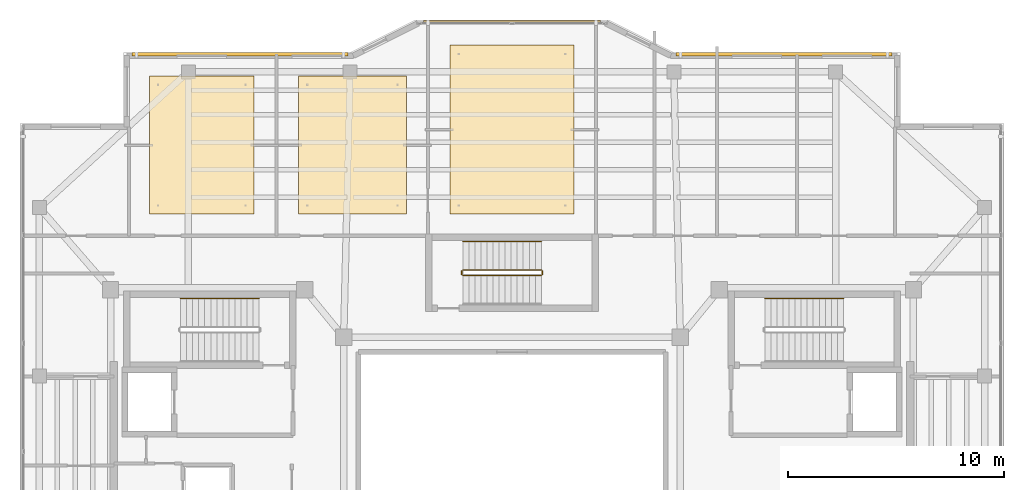
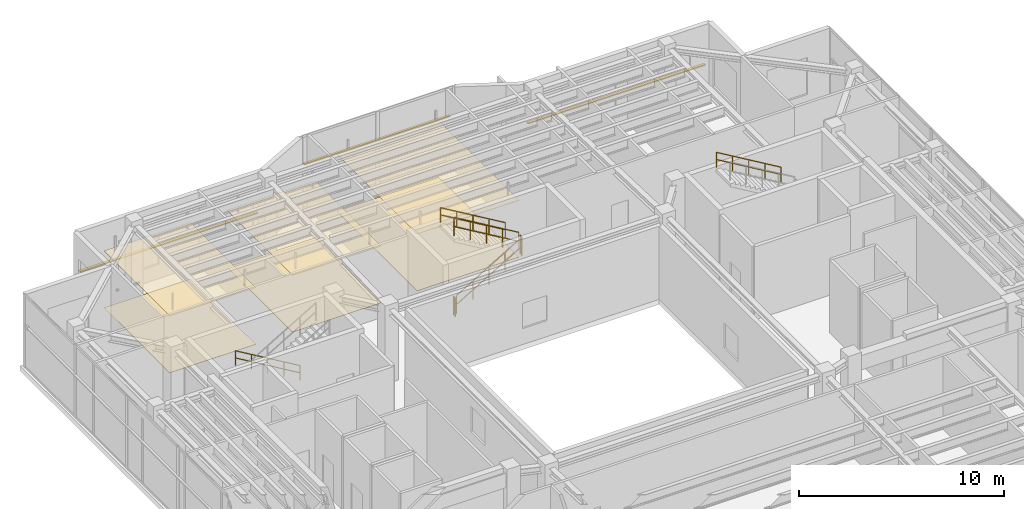
# One storey, part 25 of 25: 7 railings, 6 coverings, 3 shading devices.
"""IFC4 building model written with IfcOpenShell, lengths in metres."""

from ifc_helpers import new_model, si_unit, direction, frame, origin, origin_2d, place, context, subcontext, project, spatial, polyline, rectangle, circle, outline, extrude, material, layer, layer_set, material_profile, profile_set, type_object, element, save


model = new_model("IFC4")

# Units and contexts
model_context = context("Model", 3, precision=1e-05, world=origin(), true_north=direction((0.0, 1.0)))
body_context = subcontext(model_context, "Body", "Model", "MODEL_VIEW")
ifc_project = project(units=[si_unit("LENGTHUNIT", "METRE"), si_unit("AREAUNIT", "SQUARE_METRE"), si_unit("VOLUMEUNIT", "CUBIC_METRE"), si_unit("PLANEANGLEUNIT", "RADIAN"), si_unit("MASSUNIT", "GRAM", prefix="KILO")], contexts=[model_context])

# Site, building, storey
site_placement = place(None, origin())
site = spatial("IfcSite", under=ifc_project, at=site_placement, CompositionType="ELEMENT")
building_placement = place(site_placement, origin())
building = spatial("IfcBuilding", under=site, at=building_placement, Name="Tarnavaz Court Tower", CompositionType="ELEMENT")
storey_placement = place(building_placement, frame((0.0, 0.0, 271.64990234375)))
storey = spatial("IfcBuildingStorey", under=building, at=storey_placement, Name="L74", CompositionType="ELEMENT", Elevation=271.64990234375)

# Coverings
ifc_material_1 = material(Name="Perforated Gypsum Acoustic Ceiling Tile", Category="masonry")
ifc_layer_1 = layer(ifc_material_1, 0.02490234375)
ifc_layer_set_1 = layer_set([ifc_layer_1], Name="Perforated Gypsum Acoustic Ceiling Tile")
covering_type_1 = type_object("IfcCoveringType", Name="CV-CEIL-AC", PredefinedType="CEILING", material=ifc_layer_set_1)
covering_1_placement = place(storey_placement, frame((0.0, 0.0, 3.380126953125)))
element("IfcCovering", 1, at=covering_1_placement, inside=storey, type_object=covering_type_1, Name="L74 Public Observation Viewing Deck Suspended Acoustic Ceiling", PredefinedType="CEILING", context=body_context, shape_type="SweptSolid", body=[
    extrude(outline(polyline([(-16.800048828125, 13.5), (-11.948974609375, 13.5), (-11.948974609375, 19.89990234375), (-16.800048828125, 19.89990234375), (-16.800048828125, 13.5)])), origin(), (0.0, 0.0, 1.0), 0.02490234375),
])
covering_2_placement = place(storey_placement, frame((0.0, 0.0, 3.380126953125)))
element("IfcCovering", 2, at=covering_2_placement, inside=storey, type_object=covering_type_1, Name="L74 Skyline Heritage Art Gallery Suspended Acoustic Ceiling", PredefinedType="CEILING", context=body_context, shape_type="SweptSolid", body=[
    extrude(outline(polyline([(-9.888916015625, 13.5), (-4.89990234375, 13.5), (-4.89990234375, 19.89990234375), (-9.888916015625, 19.89990234375), (-9.888916015625, 13.5)])), origin(), (0.0, 0.0, 1.0), 0.02490234375),
])
covering_3_placement = place(storey_placement, frame((0.0, 0.0, 3.380126953125)))
element("IfcCovering", 3, at=covering_3_placement, inside=storey, type_object=covering_type_1, Name="L74 L74 North Iwan Sky Lookout Salon Suspended Acoustic Ceiling", PredefinedType="CEILING", context=body_context, shape_type="SweptSolid", body=[
    extrude(outline(polyline([(-2.8701171875, 13.5), (2.8701171875, 13.5), (2.8701171875, 21.330078125), (-2.8701171875, 21.330078125), (-2.8701171875, 13.5)])), origin(), (0.0, 0.0, 1.0), 0.02490234375),
])
ifc_material_2 = material(Name="Glazed Khorasan Porcelain Floor Tile", Category="masonry")
ifc_layer_2 = layer(ifc_material_2, 0.02001953125)
ifc_layer_set_2 = layer_set([ifc_layer_2], Name="Glazed Khorasan Porcelain Floor Tile")
covering_type_2 = type_object("IfcCoveringType", Name="CV-FLR-PORC", PredefinedType="FLOORING", material=ifc_layer_set_2)
covering_4_placement = place(storey_placement, origin())
element("IfcCovering", 4, at=covering_4_placement, inside=storey, type_object=covering_type_2, Name="L74 Public Observation Viewing Deck Porcelain Floor Finish", PredefinedType="FLOORING", context=body_context, shape_type="SweptSolid", body=[
    extrude(outline(polyline([(-16.800048828125, 13.5), (-11.948974609375, 13.5), (-11.948974609375, 19.89990234375), (-16.800048828125, 19.89990234375), (-16.800048828125, 13.5)])), origin(), (0.0, 0.0, 1.0), 0.02001953125),
])
covering_5_placement = place(storey_placement, origin())
element("IfcCovering", 5, at=covering_5_placement, inside=storey, type_object=covering_type_2, Name="L74 Skyline Heritage Art Gallery Porcelain Floor Finish", PredefinedType="FLOORING", context=body_context, shape_type="SweptSolid", body=[
    extrude(outline(polyline([(-9.888916015625, 13.5), (-4.89990234375, 13.5), (-4.89990234375, 19.89990234375), (-9.888916015625, 19.89990234375), (-9.888916015625, 13.5)])), origin(), (0.0, 0.0, 1.0), 0.02001953125),
])
covering_6_placement = place(storey_placement, origin())
element("IfcCovering", 6, at=covering_6_placement, inside=storey, type_object=covering_type_2, Name="L74 L74 North Iwan Sky Lookout Salon Porcelain Floor Finish", PredefinedType="FLOORING", context=body_context, shape_type="SweptSolid", body=[
    extrude(outline(polyline([(-2.8701171875, 13.5), (2.8701171875, 13.5), (2.8701171875, 21.330078125), (-2.8701171875, 21.330078125), (-2.8701171875, 13.5)])), origin(), (0.0, 0.0, 1.0), 0.02001953125),
])

# Railings
ifc_material_3 = material(Name="Brushed Stainless Steel", Category="steel")
railing_type_1 = type_object("IfcRailingType", Name="RL-HANDRAIL-900", PredefinedType="HANDRAIL", material=ifc_material_3)
for number, where, name in (
    (7, (-11.719970703125, 9.590087890625, 0.166259765625), "L74 ST-W1 stair handrail 1"),
    (8, (15.360107421875, 9.590087890625, 2.4912109375), "L74 ST-E1 stair handrail 2"),
    (9, (1.360107421875, 12.239990234375, 2.4912109375), "L74 ST-N1 stair handrail 2"),
):
    element("IfcRailing", number, at=place(storey_placement, frame(where)), inside=storey, type_object=railing_type_1, Name=name, PredefinedType="HANDRAIL", context=body_context, shape_type="SweptSolid", body=[
        extrude(circle(Radius=0.02392578125, at=origin_2d()), frame((0.0, 0.0, 0.8759765625), z_axis=(-0.860103130531, 0.0, 0.510120186672), x_axis=(0.0, -1.0, 0.0)), (0.0, 0.0, 1.0), 4.232177734375),
        extrude(circle(Radius=0.02392578125, at=origin_2d()), frame((0.0, 0.0, 0.449951171875), z_axis=(-0.860103130531, 0.0, 0.510120186672), x_axis=(0.0, -1.0, 0.0)), (0.0, 0.0, 1.0), 4.232177734375),
        extrude(circle(Radius=0.02099609375, at=origin_2d()), origin(), (0.0, 0.0, 1.0), 0.851806640625),
        extrude(circle(Radius=0.02099609375, at=origin_2d()), frame((-0.91015625, 0.0, 0.539794921875)), (0.0, 0.0, 1.0), 0.851806640625),
        extrude(circle(Radius=0.02099609375, at=origin_2d()), frame((-1.820068359375, 0.0, 1.07958984375)), (0.0, 0.0, 1.0), 0.851806640625),
        extrude(circle(Radius=0.02099609375, at=origin_2d()), frame((-2.72998046875, 0.0, 1.619140625)), (0.0, 0.0, 1.0), 0.851806640625),
        extrude(circle(Radius=0.02099609375, at=origin_2d()), frame((-3.64013671875, 0.0, 2.158935546875)), (0.0, 0.0, 1.0), 0.851806640625),
    ])
ifc_material_4 = material(Name="Galvanized Painted Tubular Steel", Category="steel")
railing_type_2 = type_object("IfcRailingType", Name="RL-STGUARD-1120", PredefinedType="GUARDRAIL", material=ifc_material_4)
railing_1_placement = place(storey_placement, frame((-2.280029296875, 10.669921875, 0.166259765625)))
element("IfcRailing", 10, at=railing_1_placement, inside=storey, type_object=railing_type_2, Name="L74 ST-N1 stair guard 1", PredefinedType="GUARDRAIL", context=body_context, shape_type="SweptSolid", body=[
    extrude(circle(Radius=0.02392578125, at=origin_2d()), frame((0.0, 0.0, 1.09619140625), z_axis=(0.860103130531, 0.0, 0.510120186672), x_axis=(0.0, 1.0, 0.0)), (0.0, 0.0, 1.0), 4.232177734375),
    extrude(circle(Radius=0.02392578125, at=origin_2d()), frame((0.0, 0.0, 0.56005859375), z_axis=(0.860103130531, 0.0, 0.510120186672), x_axis=(0.0, 1.0, 0.0)), (0.0, 0.0, 1.0), 4.232177734375),
    extrude(circle(Radius=0.02099609375, at=origin_2d()), origin(), (0.0, 0.0, 1.0), 1.072021484375),
    extrude(circle(Radius=0.02099609375, at=origin_2d()), frame((0.91015625, 0.0, 0.539794921875)), (0.0, 0.0, 1.0), 1.072021484375),
    extrude(circle(Radius=0.02099609375, at=origin_2d()), frame((1.820068359375, 0.0, 1.07958984375)), (0.0, 0.0, 1.0), 1.072021484375),
    extrude(circle(Radius=0.02099609375, at=origin_2d()), frame((2.72998046875, 0.0, 1.619140625)), (0.0, 0.0, 1.0), 1.072021484375),
    extrude(circle(Radius=0.02099609375, at=origin_2d()), frame((3.64013671875, 0.0, 2.158935546875)), (0.0, 0.0, 1.0), 1.072021484375),
])
railing_2_placement = place(storey_placement, frame((1.409912109375, 10.719970703125, 2.3251953125)))
element("IfcRailing", 11, at=railing_2_placement, inside=storey, type_object=railing_type_2, Name="L74 ST-N1 stair guard 2", PredefinedType="GUARDRAIL", context=body_context, shape_type="SweptSolid", body=[
    extrude(circle(Radius=0.02392578125, at=origin_2d()), frame((0.0, 0.0, 1.09619140625), z_axis=(0.0, 1.0, 0.0), x_axis=(-1.0, 0.0, 0.0)), (0.0, 0.0, 1.0), 0.150146484375),
    extrude(circle(Radius=0.02392578125, at=origin_2d()), frame((0.0, 0.0, 0.56005859375), z_axis=(0.0, 1.0, 0.0), x_axis=(-1.0, 0.0, 0.0)), (0.0, 0.0, 1.0), 0.150146484375),
    extrude(circle(Radius=0.02099609375, at=origin_2d()), origin(), (0.0, 0.0, 1.0), 1.072021484375),
    extrude(circle(Radius=0.02099609375, at=origin_2d()), frame((0.0, 0.150146484375, 0.0)), (0.0, 0.0, 1.0), 1.072021484375),
])
railing_3_placement = place(storey_placement, frame((1.360107421875, 10.919921875, 2.4912109375)))
element("IfcRailing", 12, at=railing_3_placement, inside=storey, type_object=railing_type_2, Name="L74 ST-N1 stair guard 3", PredefinedType="GUARDRAIL", context=body_context, shape_type="SweptSolid", body=[
    extrude(circle(Radius=0.02392578125, at=origin_2d()), frame((0.0, 0.0, 1.09619140625), z_axis=(-0.860103130531, 0.0, 0.510120186672), x_axis=(0.0, -1.0, 0.0)), (0.0, 0.0, 1.0), 4.232177734375),
    extrude(circle(Radius=0.02392578125, at=origin_2d()), frame((0.0, 0.0, 0.56005859375), z_axis=(-0.860103130531, 0.0, 0.510120186672), x_axis=(0.0, -1.0, 0.0)), (0.0, 0.0, 1.0), 4.232177734375),
    extrude(circle(Radius=0.02099609375, at=origin_2d()), origin(), (0.0, 0.0, 1.0), 1.072021484375),
    extrude(circle(Radius=0.02099609375, at=origin_2d()), frame((-0.91015625, 0.0, 0.539794921875)), (0.0, 0.0, 1.0), 1.072021484375),
    extrude(circle(Radius=0.02099609375, at=origin_2d()), frame((-1.820068359375, 0.0, 1.07958984375)), (0.0, 0.0, 1.0), 1.072021484375),
    extrude(circle(Radius=0.02099609375, at=origin_2d()), frame((-2.72998046875, 0.0, 1.619140625)), (0.0, 0.0, 1.0), 1.072021484375),
    extrude(circle(Radius=0.02099609375, at=origin_2d()), frame((-3.64013671875, 0.0, 2.158935546875)), (0.0, 0.0, 1.0), 1.072021484375),
])
railing_4_placement = place(storey_placement, frame((-2.330078125, 10.719970703125, 0.0)))
element("IfcRailing", 13, at=railing_4_placement, inside=storey, type_object=railing_type_2, Name="L74 ST-N1 stair guard 4", PredefinedType="GUARDRAIL", context=body_context, shape_type="SweptSolid", body=[
    extrude(circle(Radius=0.02392578125, at=origin_2d()), frame((0.0, 0.0, 1.09619140625), z_axis=(0.0, 1.0, 0.0), x_axis=(-1.0, 0.0, 0.0)), (0.0, 0.0, 1.0), 0.150146484375),
    extrude(circle(Radius=0.02392578125, at=origin_2d()), frame((0.0, 0.0, 0.56005859375), z_axis=(0.0, 1.0, 0.0), x_axis=(-1.0, 0.0, 0.0)), (0.0, 0.0, 1.0), 0.150146484375),
    extrude(circle(Radius=0.02099609375, at=origin_2d()), origin(), (0.0, 0.0, 1.0), 1.072021484375),
    extrude(circle(Radius=0.02099609375, at=origin_2d()), frame((0.0, 0.150146484375, 0.0)), (0.0, 0.0, 1.0), 1.072021484375),
])

# Shading devices
ifc_material_5 = material(Name="Kiln-Fired Khorasan Terracotta Ceramic", Category="masonry")
ifc_material_profile = material_profile(ifc_material_5, rectangle(XDim=0.14990234375, YDim=0.06494140625, at=origin_2d()), Name="TC BAGUETTE 150X65")
ifc_profile_set = profile_set([ifc_material_profile], Name="Kiln-Fired Khorasan Terracotta Ceramic")
shading_device_type = type_object("IfcShadingDeviceType", Name="SD-BAG-150", PredefinedType="USERDEFINED", material=ifc_profile_set)
shading_device_1_placement = place(storey_placement, frame((-17.60009765625, 20.909912109375, 1.85009765625), z_axis=(1.0, 0.0, 0.0), x_axis=(0.0, 1.0, 0.0)))
element("IfcShadingDevice", 14, at=shading_device_1_placement, inside=storey, type_object=shading_device_type, Name="L74 Terracotta Baguette Screen FBG05", ObjectType="BAGUETTE", PredefinedType="USERDEFINED", context=body_context, shape_type="SweptSolid", body=[
    extrude(rectangle(XDim=0.14990234375, YDim=0.06494140625, at=origin_2d()), origin(), (0.0, 0.0, 1.0), 10.0),
])
shading_device_2_placement = place(storey_placement, frame((-4.10009765625, 22.409912109375, 2.60009765625), z_axis=(1.0, 0.0, 0.0), x_axis=(0.0, 1.0, 0.0)))
element("IfcShadingDevice", 15, at=shading_device_2_placement, inside=storey, type_object=shading_device_type, Name="L74 Terracotta Baguette Screen OBG7", ObjectType="BAGUETTE", PredefinedType="USERDEFINED", context=body_context, shape_type="SweptSolid", body=[
    extrude(rectangle(XDim=0.14990234375, YDim=0.06494140625, at=origin_2d()), origin(), (0.0, 0.0, 1.0), 8.2001953125),
])
shading_device_3_placement = place(storey_placement, frame((7.60009765625, 20.909912109375, 1.85009765625), z_axis=(1.0, 0.0, 0.0), x_axis=(0.0, 1.0, 0.0)))
element("IfcShadingDevice", 16, at=shading_device_3_placement, inside=storey, type_object=shading_device_type, Name="L74 Terracotta Baguette Screen FBG09", ObjectType="BAGUETTE", PredefinedType="USERDEFINED", context=body_context, shape_type="SweptSolid", body=[
    extrude(rectangle(XDim=0.14990234375, YDim=0.06494140625, at=origin_2d()), origin(), (0.0, 0.0, 1.0), 10.0),
])

save(model, "model.ifc")
